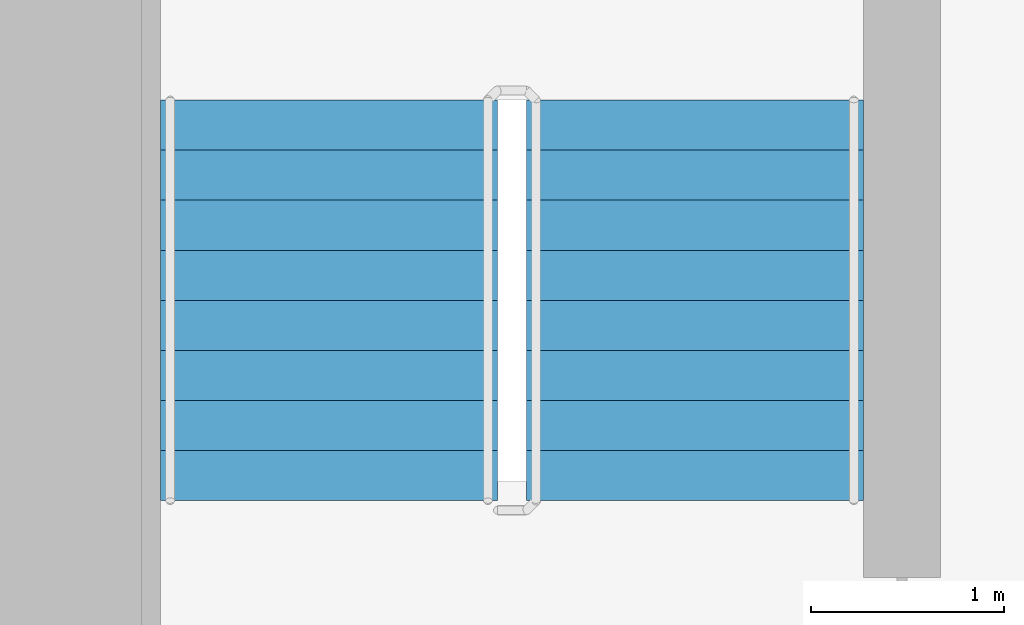
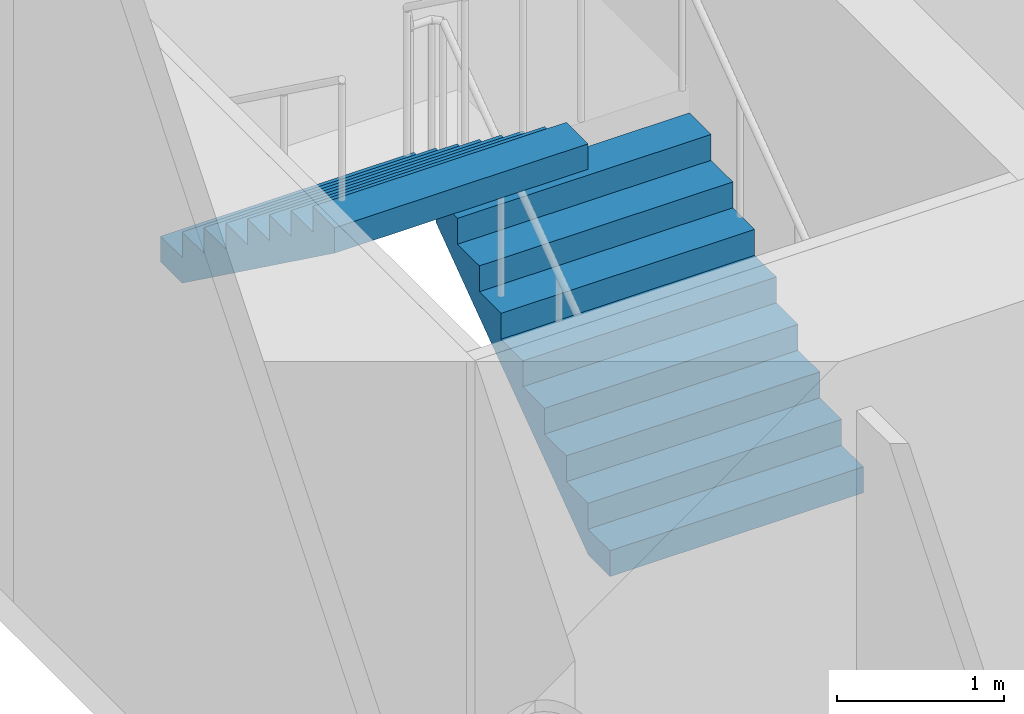
# One storey, part 20 of 23: 2 stair flights, 1 element without a shape of its own.
"""IFC4 building model written with IfcOpenShell, lengths in metres."""

from ifc_helpers import new_model, si_unit, direction, frame, origin, place, context, subcontext, project, spatial, faceted_brep, material, type_object, element, aggregate, save


model = new_model("IFC4")

# Units and contexts
model_context = context("Model", 3, precision=1e-05, world=origin(), true_north=direction((0.0, 1.0)))
body_context = subcontext(model_context, "Body", "Model", "MODEL_VIEW")
ifc_project = project(units=[si_unit("LENGTHUNIT", "METRE"), si_unit("AREAUNIT", "SQUARE_METRE"), si_unit("VOLUMEUNIT", "CUBIC_METRE"), si_unit("PLANEANGLEUNIT", "RADIAN"), si_unit("MASSUNIT", "GRAM", prefix="KILO")], contexts=[model_context])

# Site, building, storey
site_placement = place(None, origin())
site = spatial("IfcSite", under=ifc_project, at=site_placement, CompositionType="ELEMENT")
building_placement = place(site_placement, origin())
building = spatial("IfcBuilding", under=site, at=building_placement, Name="Ipe Terrace Towers", CompositionType="ELEMENT")
storey_placement = place(building_placement, frame((0.0, 0.0, 51.699951171875)))
storey = spatial("IfcBuildingStorey", under=building, at=storey_placement, Name="L13", CompositionType="ELEMENT", Elevation=51.699951171875)

# Stair, stair flights
ifc_material_1 = material(Name="Concrete C30/37", Category="concrete")
stair_type = type_object("IfcStairType", Name="Protected exit stair", PredefinedType="HALF_TURN_STAIR", material=ifc_material_1)
stair_placement = place(storey_placement, origin())
stair = element("IfcStair", 1, at=stair_placement, inside=storey, type_object=stair_type, Name="L13 Exit stair T2-C1", PredefinedType="HALF_TURN_STAIR")
ifc_material_2 = material(Name="Concrete C30/37", Category="concrete")
stair_flight_type = type_object("IfcStairFlightType", Name="Exit stair flight 1750", PredefinedType="STRAIGHT", material=ifc_material_2)
stair_flight_1_placement = place(storey_placement, frame((33.22509765625, 9.699951171875, 0.0), z_axis=(0.0, 0.0, 1.0), x_axis=(0.0, 1.0, 0.0)))
stair_flight_1 = element("IfcStairFlight", 2, at=stair_flight_1_placement, type_object=stair_flight_type, Name="T2-ST1 flight 1", NumberOfRisers=9, NumberOfTreads=8, PredefinedType="STRAIGHT", RiserHeight=0.188888889, TreadLength=0.26, context=body_context, shape_type="Brep", body=[
    faceted_brep([(0.255126953125, -0.875, 0.0), (2.080078125, -0.875, 1.325927734375), (2.080078125, -0.875, 1.51123046875), (1.820068359375, -0.875, 1.51123046875), (1.820068359375, -0.875, 1.322265625), (1.56005859375, -0.875, 1.322265625), (1.56005859375, -0.875, 1.13330078125), (1.300048828125, -0.875, 1.13330078125), (1.300048828125, -0.875, 0.9443359375), (1.0400390625, -0.875, 0.9443359375), (1.0400390625, -0.875, 0.755615234375), (0.780029296875, -0.875, 0.755615234375), (0.780029296875, -0.875, 0.566650390625), (0.52001953125, -0.875, 0.566650390625), (0.52001953125, -0.875, 0.377685546875), (0.260009765625, -0.875, 0.377685546875), (0.260009765625, -0.875, 0.18896484375), (0.0, -0.875, 0.18896484375), (0.0, -0.875, 0.0), (0.0, 0.875, 0.0), (0.0, 0.875, 0.18896484375), (0.260009765625, 0.875, 0.18896484375), (0.260009765625, 0.875, 0.377685546875), (0.52001953125, 0.875, 0.377685546875), (0.52001953125, 0.875, 0.566650390625), (0.780029296875, 0.875, 0.566650390625), (0.780029296875, 0.875, 0.755615234375), (1.0400390625, 0.875, 0.755615234375), (1.0400390625, 0.875, 0.9443359375), (1.300048828125, 0.875, 0.9443359375), (1.300048828125, 0.875, 1.13330078125), (1.56005859375, 0.875, 1.13330078125), (1.56005859375, 0.875, 1.322265625), (1.820068359375, 0.875, 1.322265625), (1.820068359375, 0.875, 1.51123046875), (2.080078125, 0.875, 1.51123046875), (2.080078125, 0.875, 1.325927734375), (0.255126953125, 0.875, 0.0), (0.0, -0.300048828125, 0.18896484375), (0.0, -0.1201171875, 0.18896484375), (0.0, -0.06005859375, 0.18896484375), (0.0, -0.030029296875, 0.18896484375), (0.0, -0.010009765625, 0.18896484375), (0.0, 0.0, 0.18896484375), (0.0, 0.010009765625, 0.18896484375), (0.0, 0.030029296875, 0.18896484375), (0.0, 0.06005859375, 0.18896484375), (0.0, 0.1201171875, 0.18896484375), (0.0, 0.300048828125, 0.18896484375), (0.0, 0.300048828125, 0.0), (0.0, 0.1201171875, 0.0), (0.0, 0.06005859375, 0.0), (0.0, 0.030029296875, 0.0), (0.0, 0.010009765625, 0.0), (0.0, 0.0, 0.0), (0.0, -0.010009765625, 0.0), (0.0, -0.030029296875, 0.0), (0.0, -0.06005859375, 0.0), (0.0, -0.1201171875, 0.0), (0.0, -0.300048828125, 0.0), (0.260009765625, -0.300048828125, 0.18896484375), (0.260009765625, -0.1201171875, 0.18896484375), (0.260009765625, -0.06005859375, 0.18896484375), (0.260009765625, -0.030029296875, 0.18896484375), (0.260009765625, -0.010009765625, 0.18896484375), (0.260009765625, 0.0, 0.18896484375), (0.260009765625, 0.010009765625, 0.18896484375), (0.260009765625, 0.030029296875, 0.18896484375), (0.260009765625, 0.06005859375, 0.18896484375), (0.260009765625, 0.1201171875, 0.18896484375), (0.260009765625, 0.300048828125, 0.18896484375), (0.260009765625, -0.300048828125, 0.377685546875), (0.260009765625, -0.1201171875, 0.377685546875), (0.260009765625, -0.06005859375, 0.377685546875), (0.260009765625, -0.030029296875, 0.377685546875), (0.260009765625, -0.010009765625, 0.377685546875), (0.260009765625, 0.0, 0.377685546875), (0.260009765625, 0.010009765625, 0.377685546875), (0.260009765625, 0.030029296875, 0.377685546875), (0.260009765625, 0.06005859375, 0.377685546875), (0.260009765625, 0.1201171875, 0.377685546875), (0.260009765625, 0.300048828125, 0.377685546875), (0.52001953125, -0.300048828125, 0.377685546875), (0.52001953125, -0.1201171875, 0.377685546875), (0.52001953125, -0.06005859375, 0.377685546875), (0.52001953125, -0.030029296875, 0.377685546875), (0.52001953125, -0.010009765625, 0.377685546875), (0.52001953125, 0.0, 0.377685546875), (0.52001953125, 0.010009765625, 0.377685546875), (0.52001953125, 0.030029296875, 0.377685546875), (0.52001953125, 0.06005859375, 0.377685546875), (0.52001953125, 0.1201171875, 0.377685546875), (0.52001953125, 0.300048828125, 0.377685546875), (0.52001953125, -0.300048828125, 0.566650390625), (0.52001953125, -0.1201171875, 0.566650390625), (0.52001953125, -0.06005859375, 0.566650390625), (0.52001953125, -0.030029296875, 0.566650390625), (0.52001953125, -0.010009765625, 0.566650390625), (0.52001953125, 0.0, 0.566650390625), (0.52001953125, 0.010009765625, 0.566650390625), (0.52001953125, 0.030029296875, 0.566650390625), (0.52001953125, 0.06005859375, 0.566650390625), (0.52001953125, 0.1201171875, 0.566650390625), (0.52001953125, 0.300048828125, 0.566650390625), (0.780029296875, -0.300048828125, 0.566650390625), (0.780029296875, -0.1201171875, 0.566650390625), (0.780029296875, -0.06005859375, 0.566650390625), (0.780029296875, -0.030029296875, 0.566650390625), (0.780029296875, -0.010009765625, 0.566650390625), (0.780029296875, 0.0, 0.566650390625), (0.780029296875, 0.010009765625, 0.566650390625), (0.780029296875, 0.030029296875, 0.566650390625), (0.780029296875, 0.06005859375, 0.566650390625), (0.780029296875, 0.1201171875, 0.566650390625), (0.780029296875, 0.300048828125, 0.566650390625), (0.780029296875, -0.300048828125, 0.755615234375), (0.780029296875, -0.1201171875, 0.755615234375), (0.780029296875, -0.06005859375, 0.755615234375), (0.780029296875, -0.030029296875, 0.755615234375), (0.780029296875, -0.010009765625, 0.755615234375), (0.780029296875, 0.0, 0.755615234375), (0.780029296875, 0.010009765625, 0.755615234375), (0.780029296875, 0.030029296875, 0.755615234375), (0.780029296875, 0.06005859375, 0.755615234375), (0.780029296875, 0.1201171875, 0.755615234375), (0.780029296875, 0.300048828125, 0.755615234375), (1.0400390625, -0.300048828125, 0.755615234375), (1.0400390625, -0.1201171875, 0.755615234375), (1.0400390625, -0.06005859375, 0.755615234375), (1.0400390625, -0.030029296875, 0.755615234375), (1.0400390625, -0.010009765625, 0.755615234375), (1.0400390625, 0.0, 0.755615234375), (1.0400390625, 0.010009765625, 0.755615234375), (1.0400390625, 0.030029296875, 0.755615234375), (1.0400390625, 0.06005859375, 0.755615234375), (1.0400390625, 0.1201171875, 0.755615234375), (1.0400390625, 0.300048828125, 0.755615234375), (1.0400390625, -0.300048828125, 0.9443359375), (1.0400390625, -0.1201171875, 0.9443359375), (1.0400390625, -0.06005859375, 0.9443359375), (1.0400390625, -0.030029296875, 0.9443359375), (1.0400390625, -0.010009765625, 0.9443359375), (1.0400390625, 0.0, 0.9443359375), (1.0400390625, 0.010009765625, 0.9443359375), (1.0400390625, 0.030029296875, 0.9443359375), (1.0400390625, 0.06005859375, 0.9443359375), (1.0400390625, 0.1201171875, 0.9443359375), (1.0400390625, 0.300048828125, 0.9443359375), (1.300048828125, -0.300048828125, 0.9443359375), (1.300048828125, -0.1201171875, 0.9443359375), (1.300048828125, -0.06005859375, 0.9443359375), (1.300048828125, -0.030029296875, 0.9443359375), (1.300048828125, -0.010009765625, 0.9443359375), (1.300048828125, 0.0, 0.9443359375), (1.300048828125, 0.010009765625, 0.9443359375), (1.300048828125, 0.030029296875, 0.9443359375), (1.300048828125, 0.06005859375, 0.9443359375), (1.300048828125, 0.1201171875, 0.9443359375), (1.300048828125, 0.300048828125, 0.9443359375), (1.300048828125, -0.300048828125, 1.13330078125), (1.300048828125, -0.1201171875, 1.13330078125), (1.300048828125, -0.06005859375, 1.13330078125), (1.300048828125, -0.030029296875, 1.13330078125), (1.300048828125, -0.010009765625, 1.13330078125), (1.300048828125, 0.0, 1.13330078125), (1.300048828125, 0.010009765625, 1.13330078125), (1.300048828125, 0.030029296875, 1.13330078125), (1.300048828125, 0.06005859375, 1.13330078125), (1.300048828125, 0.1201171875, 1.13330078125), (1.300048828125, 0.300048828125, 1.13330078125), (1.56005859375, -0.300048828125, 1.13330078125), (1.56005859375, -0.1201171875, 1.13330078125), (1.56005859375, -0.06005859375, 1.13330078125), (1.56005859375, -0.030029296875, 1.13330078125), (1.56005859375, -0.010009765625, 1.13330078125), (1.56005859375, 0.0, 1.13330078125), (1.56005859375, 0.010009765625, 1.13330078125), (1.56005859375, 0.030029296875, 1.13330078125), (1.56005859375, 0.06005859375, 1.13330078125), (1.56005859375, 0.1201171875, 1.13330078125), (1.56005859375, 0.300048828125, 1.13330078125), (1.56005859375, -0.300048828125, 1.322265625), (1.56005859375, -0.1201171875, 1.322265625), (1.56005859375, -0.06005859375, 1.322265625), (1.56005859375, -0.030029296875, 1.322265625), (1.56005859375, -0.010009765625, 1.322265625), (1.56005859375, 0.0, 1.322265625), (1.56005859375, 0.010009765625, 1.322265625), (1.56005859375, 0.030029296875, 1.322265625), (1.56005859375, 0.06005859375, 1.322265625), (1.56005859375, 0.1201171875, 1.322265625), (1.56005859375, 0.300048828125, 1.322265625), (1.820068359375, -0.300048828125, 1.322265625), (1.820068359375, -0.1201171875, 1.322265625), (1.820068359375, -0.06005859375, 1.322265625), (1.820068359375, -0.030029296875, 1.322265625), (1.820068359375, -0.010009765625, 1.322265625), (1.820068359375, 0.0, 1.322265625), (1.820068359375, 0.010009765625, 1.322265625), (1.820068359375, 0.030029296875, 1.322265625), (1.820068359375, 0.06005859375, 1.322265625), (1.820068359375, 0.1201171875, 1.322265625), (1.820068359375, 0.300048828125, 1.322265625), (1.820068359375, -0.300048828125, 1.51123046875), (1.820068359375, -0.1201171875, 1.51123046875), (1.820068359375, -0.06005859375, 1.51123046875), (1.820068359375, -0.030029296875, 1.51123046875), (1.820068359375, -0.010009765625, 1.51123046875), (1.820068359375, 0.0, 1.51123046875), (1.820068359375, 0.010009765625, 1.51123046875), (1.820068359375, 0.030029296875, 1.51123046875), (1.820068359375, 0.06005859375, 1.51123046875), (1.820068359375, 0.1201171875, 1.51123046875), (1.820068359375, 0.300048828125, 1.51123046875), (2.080078125, -0.300048828125, 1.51123046875), (2.080078125, -0.1201171875, 1.51123046875), (2.080078125, -0.06005859375, 1.51123046875), (2.080078125, -0.030029296875, 1.51123046875), (2.080078125, -0.010009765625, 1.51123046875), (2.080078125, 0.0, 1.51123046875), (2.080078125, 0.010009765625, 1.51123046875), (2.080078125, 0.030029296875, 1.51123046875), (2.080078125, 0.06005859375, 1.51123046875), (2.080078125, 0.1201171875, 1.51123046875), (2.080078125, 0.300048828125, 1.51123046875), (2.080078125, -0.300048828125, 1.325927734375), (2.080078125, -0.1201171875, 1.325927734375), (2.080078125, -0.06005859375, 1.325927734375), (2.080078125, -0.030029296875, 1.325927734375), (2.080078125, -0.010009765625, 1.325927734375), (2.080078125, 0.0, 1.325927734375), (2.080078125, 0.010009765625, 1.325927734375), (2.080078125, 0.030029296875, 1.325927734375), (2.080078125, 0.06005859375, 1.325927734375), (2.080078125, 0.1201171875, 1.325927734375), (2.080078125, 0.300048828125, 1.325927734375), (0.255126953125, -0.300048828125, 0.0), (0.255126953125, -0.1201171875, 0.0), (0.255126953125, -0.06005859375, 0.0), (0.255126953125, -0.030029296875, 0.0), (0.255126953125, -0.010009765625, 0.0), (0.255126953125, 0.0, 0.0), (0.255126953125, 0.010009765625, 0.0), (0.255126953125, 0.030029296875, 0.0), (0.255126953125, 0.06005859375, 0.0), (0.255126953125, 0.1201171875, 0.0), (0.255126953125, 0.300048828125, 0.0)], [[[0, 1, 2, 3, 4, 5, 6, 7, 8, 9, 10, 11, 12, 13, 14, 15, 16, 17, 18]], [[19, 20, 21, 22, 23, 24, 25, 26, 27, 28, 29, 30, 31, 32, 33, 34, 35, 36, 37]], [[17, 38, 39, 40, 41, 42, 43, 44, 45, 46, 47, 48, 20, 19, 49, 50, 51, 52, 53, 54, 55, 56, 57, 58, 59, 18]], [[16, 60, 61, 62, 63, 64, 65, 66, 67, 68, 69, 70, 21, 20, 48, 47, 46, 45, 44, 43, 42, 41, 40, 39, 38, 17]], [[15, 71, 72, 73, 74, 75, 76, 77, 78, 79, 80, 81, 22, 21, 70, 69, 68, 67, 66, 65, 64, 63, 62, 61, 60, 16]], [[14, 82, 83, 84, 85, 86, 87, 88, 89, 90, 91, 92, 23, 22, 81, 80, 79, 78, 77, 76, 75, 74, 73, 72, 71, 15]], [[13, 93, 94, 95, 96, 97, 98, 99, 100, 101, 102, 103, 24, 23, 92, 91, 90, 89, 88, 87, 86, 85, 84, 83, 82, 14]], [[12, 104, 105, 106, 107, 108, 109, 110, 111, 112, 113, 114, 25, 24, 103, 102, 101, 100, 99, 98, 97, 96, 95, 94, 93, 13]], [[11, 115, 116, 117, 118, 119, 120, 121, 122, 123, 124, 125, 26, 25, 114, 113, 112, 111, 110, 109, 108, 107, 106, 105, 104, 12]], [[10, 126, 127, 128, 129, 130, 131, 132, 133, 134, 135, 136, 27, 26, 125, 124, 123, 122, 121, 120, 119, 118, 117, 116, 115, 11]], [[9, 137, 138, 139, 140, 141, 142, 143, 144, 145, 146, 147, 28, 27, 136, 135, 134, 133, 132, 131, 130, 129, 128, 127, 126, 10]], [[8, 148, 149, 150, 151, 152, 153, 154, 155, 156, 157, 158, 29, 28, 147, 146, 145, 144, 143, 142, 141, 140, 139, 138, 137, 9]], [[7, 159, 160, 161, 162, 163, 164, 165, 166, 167, 168, 169, 30, 29, 158, 157, 156, 155, 154, 153, 152, 151, 150, 149, 148, 8]], [[6, 170, 171, 172, 173, 174, 175, 176, 177, 178, 179, 180, 31, 30, 169, 168, 167, 166, 165, 164, 163, 162, 161, 160, 159, 7]], [[5, 181, 182, 183, 184, 185, 186, 187, 188, 189, 190, 191, 32, 31, 180, 179, 178, 177, 176, 175, 174, 173, 172, 171, 170, 6]], [[4, 192, 193, 194, 195, 196, 197, 198, 199, 200, 201, 202, 33, 32, 191, 190, 189, 188, 187, 186, 185, 184, 183, 182, 181, 5]], [[3, 203, 204, 205, 206, 207, 208, 209, 210, 211, 212, 213, 34, 33, 202, 201, 200, 199, 198, 197, 196, 195, 194, 193, 192, 4]], [[2, 214, 215, 216, 217, 218, 219, 220, 221, 222, 223, 224, 35, 34, 213, 212, 211, 210, 209, 208, 207, 206, 205, 204, 203, 3]], [[1, 225, 226, 227, 228, 229, 230, 231, 232, 233, 234, 235, 36, 35, 224, 223, 222, 221, 220, 219, 218, 217, 216, 215, 214, 2]], [[0, 236, 237, 238, 239, 240, 241, 242, 243, 244, 245, 246, 37, 36, 235, 234, 233, 232, 231, 230, 229, 228, 227, 226, 225, 1]], [[18, 59, 58, 57, 56, 55, 54, 53, 52, 51, 50, 49, 19, 37, 246, 245, 244, 243, 242, 241, 240, 239, 238, 237, 236, 0]]]),
])
stair_flight_2_placement = place(storey_placement, frame((31.324951171875, 11.780029296875, 1.699951171875), z_axis=(0.0, 0.0, 1.0), x_axis=(0.0, -1.0, 0.0)))
stair_flight_2 = element("IfcStairFlight", 3, at=stair_flight_2_placement, type_object=stair_flight_type, Name="T2-ST1 flight 2", NumberOfRisers=9, NumberOfTreads=8, PredefinedType="STRAIGHT", RiserHeight=0.188888889, TreadLength=0.26, context=body_context, shape_type="Brep", body=[
    faceted_brep([(0.255126953125, -0.875, 0.0), (2.080078125, -0.875, 1.325927734375), (2.080078125, -0.875, 1.51123046875), (1.820068359375, -0.875, 1.51123046875), (1.820068359375, -0.875, 1.322265625), (1.56005859375, -0.875, 1.322265625), (1.56005859375, -0.875, 1.13330078125), (1.300048828125, -0.875, 1.13330078125), (1.300048828125, -0.875, 0.9443359375), (1.0400390625, -0.875, 0.9443359375), (1.0400390625, -0.875, 0.755615234375), (0.780029296875, -0.875, 0.755615234375), (0.780029296875, -0.875, 0.566650390625), (0.52001953125, -0.875, 0.566650390625), (0.52001953125, -0.875, 0.377685546875), (0.260009765625, -0.875, 0.377685546875), (0.260009765625, -0.875, 0.18896484375), (0.0, -0.875, 0.18896484375), (0.0, -0.875, 0.0), (0.0, 0.875, 0.0), (0.0, 0.875, 0.18896484375), (0.260009765625, 0.875, 0.18896484375), (0.260009765625, 0.875, 0.377685546875), (0.52001953125, 0.875, 0.377685546875), (0.52001953125, 0.875, 0.566650390625), (0.780029296875, 0.875, 0.566650390625), (0.780029296875, 0.875, 0.755615234375), (1.0400390625, 0.875, 0.755615234375), (1.0400390625, 0.875, 0.9443359375), (1.300048828125, 0.875, 0.9443359375), (1.300048828125, 0.875, 1.13330078125), (1.56005859375, 0.875, 1.13330078125), (1.56005859375, 0.875, 1.322265625), (1.820068359375, 0.875, 1.322265625), (1.820068359375, 0.875, 1.51123046875), (2.080078125, 0.875, 1.51123046875), (2.080078125, 0.875, 1.325927734375), (0.255126953125, 0.875, 0.0), (0.0, -0.300048828125, 0.18896484375), (0.0, -0.1201171875, 0.18896484375), (0.0, -0.06005859375, 0.18896484375), (0.0, -0.030029296875, 0.18896484375), (0.0, -0.010009765625, 0.18896484375), (0.0, 0.0, 0.18896484375), (0.0, 0.010009765625, 0.18896484375), (0.0, 0.030029296875, 0.18896484375), (0.0, 0.06005859375, 0.18896484375), (0.0, 0.1201171875, 0.18896484375), (0.0, 0.300048828125, 0.18896484375), (0.0, 0.300048828125, 0.0), (0.0, 0.1201171875, 0.0), (0.0, 0.06005859375, 0.0), (0.0, 0.030029296875, 0.0), (0.0, 0.010009765625, 0.0), (0.0, 0.0, 0.0), (0.0, -0.010009765625, 0.0), (0.0, -0.030029296875, 0.0), (0.0, -0.06005859375, 0.0), (0.0, -0.1201171875, 0.0), (0.0, -0.300048828125, 0.0), (0.260009765625, -0.300048828125, 0.18896484375), (0.260009765625, -0.1201171875, 0.18896484375), (0.260009765625, -0.06005859375, 0.18896484375), (0.260009765625, -0.030029296875, 0.18896484375), (0.260009765625, -0.010009765625, 0.18896484375), (0.260009765625, 0.0, 0.18896484375), (0.260009765625, 0.010009765625, 0.18896484375), (0.260009765625, 0.030029296875, 0.18896484375), (0.260009765625, 0.06005859375, 0.18896484375), (0.260009765625, 0.1201171875, 0.18896484375), (0.260009765625, 0.300048828125, 0.18896484375), (0.260009765625, -0.300048828125, 0.377685546875), (0.260009765625, -0.1201171875, 0.377685546875), (0.260009765625, -0.06005859375, 0.377685546875), (0.260009765625, -0.030029296875, 0.377685546875), (0.260009765625, -0.010009765625, 0.377685546875), (0.260009765625, 0.0, 0.377685546875), (0.260009765625, 0.010009765625, 0.377685546875), (0.260009765625, 0.030029296875, 0.377685546875), (0.260009765625, 0.06005859375, 0.377685546875), (0.260009765625, 0.1201171875, 0.377685546875), (0.260009765625, 0.300048828125, 0.377685546875), (0.52001953125, -0.300048828125, 0.377685546875), (0.52001953125, -0.1201171875, 0.377685546875), (0.52001953125, -0.06005859375, 0.377685546875), (0.52001953125, -0.030029296875, 0.377685546875), (0.52001953125, -0.010009765625, 0.377685546875), (0.52001953125, 0.0, 0.377685546875), (0.52001953125, 0.010009765625, 0.377685546875), (0.52001953125, 0.030029296875, 0.377685546875), (0.52001953125, 0.06005859375, 0.377685546875), (0.52001953125, 0.1201171875, 0.377685546875), (0.52001953125, 0.300048828125, 0.377685546875), (0.52001953125, -0.300048828125, 0.566650390625), (0.52001953125, -0.1201171875, 0.566650390625), (0.52001953125, -0.06005859375, 0.566650390625), (0.52001953125, -0.030029296875, 0.566650390625), (0.52001953125, -0.010009765625, 0.566650390625), (0.52001953125, 0.0, 0.566650390625), (0.52001953125, 0.010009765625, 0.566650390625), (0.52001953125, 0.030029296875, 0.566650390625), (0.52001953125, 0.06005859375, 0.566650390625), (0.52001953125, 0.1201171875, 0.566650390625), (0.52001953125, 0.300048828125, 0.566650390625), (0.780029296875, -0.300048828125, 0.566650390625), (0.780029296875, -0.1201171875, 0.566650390625), (0.780029296875, -0.06005859375, 0.566650390625), (0.780029296875, -0.030029296875, 0.566650390625), (0.780029296875, -0.010009765625, 0.566650390625), (0.780029296875, 0.0, 0.566650390625), (0.780029296875, 0.010009765625, 0.566650390625), (0.780029296875, 0.030029296875, 0.566650390625), (0.780029296875, 0.06005859375, 0.566650390625), (0.780029296875, 0.1201171875, 0.566650390625), (0.780029296875, 0.300048828125, 0.566650390625), (0.780029296875, -0.300048828125, 0.755615234375), (0.780029296875, -0.1201171875, 0.755615234375), (0.780029296875, -0.06005859375, 0.755615234375), (0.780029296875, -0.030029296875, 0.755615234375), (0.780029296875, -0.010009765625, 0.755615234375), (0.780029296875, 0.0, 0.755615234375), (0.780029296875, 0.010009765625, 0.755615234375), (0.780029296875, 0.030029296875, 0.755615234375), (0.780029296875, 0.06005859375, 0.755615234375), (0.780029296875, 0.1201171875, 0.755615234375), (0.780029296875, 0.300048828125, 0.755615234375), (1.0400390625, -0.300048828125, 0.755615234375), (1.0400390625, -0.1201171875, 0.755615234375), (1.0400390625, -0.06005859375, 0.755615234375), (1.0400390625, -0.030029296875, 0.755615234375), (1.0400390625, -0.010009765625, 0.755615234375), (1.0400390625, 0.0, 0.755615234375), (1.0400390625, 0.010009765625, 0.755615234375), (1.0400390625, 0.030029296875, 0.755615234375), (1.0400390625, 0.06005859375, 0.755615234375), (1.0400390625, 0.1201171875, 0.755615234375), (1.0400390625, 0.300048828125, 0.755615234375), (1.0400390625, -0.300048828125, 0.9443359375), (1.0400390625, -0.1201171875, 0.9443359375), (1.0400390625, -0.06005859375, 0.9443359375), (1.0400390625, -0.030029296875, 0.9443359375), (1.0400390625, -0.010009765625, 0.9443359375), (1.0400390625, 0.0, 0.9443359375), (1.0400390625, 0.010009765625, 0.9443359375), (1.0400390625, 0.030029296875, 0.9443359375), (1.0400390625, 0.06005859375, 0.9443359375), (1.0400390625, 0.1201171875, 0.9443359375), (1.0400390625, 0.300048828125, 0.9443359375), (1.300048828125, -0.300048828125, 0.9443359375), (1.300048828125, -0.1201171875, 0.9443359375), (1.300048828125, -0.06005859375, 0.9443359375), (1.300048828125, -0.030029296875, 0.9443359375), (1.300048828125, -0.010009765625, 0.9443359375), (1.300048828125, 0.0, 0.9443359375), (1.300048828125, 0.010009765625, 0.9443359375), (1.300048828125, 0.030029296875, 0.9443359375), (1.300048828125, 0.06005859375, 0.9443359375), (1.300048828125, 0.1201171875, 0.9443359375), (1.300048828125, 0.300048828125, 0.9443359375), (1.300048828125, -0.300048828125, 1.13330078125), (1.300048828125, -0.1201171875, 1.13330078125), (1.300048828125, -0.06005859375, 1.13330078125), (1.300048828125, -0.030029296875, 1.13330078125), (1.300048828125, -0.010009765625, 1.13330078125), (1.300048828125, 0.0, 1.13330078125), (1.300048828125, 0.010009765625, 1.13330078125), (1.300048828125, 0.030029296875, 1.13330078125), (1.300048828125, 0.06005859375, 1.13330078125), (1.300048828125, 0.1201171875, 1.13330078125), (1.300048828125, 0.300048828125, 1.13330078125), (1.56005859375, -0.300048828125, 1.13330078125), (1.56005859375, -0.1201171875, 1.13330078125), (1.56005859375, -0.06005859375, 1.13330078125), (1.56005859375, -0.030029296875, 1.13330078125), (1.56005859375, -0.010009765625, 1.13330078125), (1.56005859375, 0.0, 1.13330078125), (1.56005859375, 0.010009765625, 1.13330078125), (1.56005859375, 0.030029296875, 1.13330078125), (1.56005859375, 0.06005859375, 1.13330078125), (1.56005859375, 0.1201171875, 1.13330078125), (1.56005859375, 0.300048828125, 1.13330078125), (1.56005859375, -0.300048828125, 1.322265625), (1.56005859375, -0.1201171875, 1.322265625), (1.56005859375, -0.06005859375, 1.322265625), (1.56005859375, -0.030029296875, 1.322265625), (1.56005859375, -0.010009765625, 1.322265625), (1.56005859375, 0.0, 1.322265625), (1.56005859375, 0.010009765625, 1.322265625), (1.56005859375, 0.030029296875, 1.322265625), (1.56005859375, 0.06005859375, 1.322265625), (1.56005859375, 0.1201171875, 1.322265625), (1.56005859375, 0.300048828125, 1.322265625), (1.820068359375, -0.300048828125, 1.322265625), (1.820068359375, -0.1201171875, 1.322265625), (1.820068359375, -0.06005859375, 1.322265625), (1.820068359375, -0.030029296875, 1.322265625), (1.820068359375, -0.010009765625, 1.322265625), (1.820068359375, 0.0, 1.322265625), (1.820068359375, 0.010009765625, 1.322265625), (1.820068359375, 0.030029296875, 1.322265625), (1.820068359375, 0.06005859375, 1.322265625), (1.820068359375, 0.1201171875, 1.322265625), (1.820068359375, 0.300048828125, 1.322265625), (1.820068359375, -0.300048828125, 1.51123046875), (1.820068359375, -0.1201171875, 1.51123046875), (1.820068359375, -0.06005859375, 1.51123046875), (1.820068359375, -0.030029296875, 1.51123046875), (1.820068359375, -0.010009765625, 1.51123046875), (1.820068359375, 0.0, 1.51123046875), (1.820068359375, 0.010009765625, 1.51123046875), (1.820068359375, 0.030029296875, 1.51123046875), (1.820068359375, 0.06005859375, 1.51123046875), (1.820068359375, 0.1201171875, 1.51123046875), (1.820068359375, 0.300048828125, 1.51123046875), (2.080078125, -0.300048828125, 1.51123046875), (2.080078125, -0.1201171875, 1.51123046875), (2.080078125, -0.06005859375, 1.51123046875), (2.080078125, -0.030029296875, 1.51123046875), (2.080078125, -0.010009765625, 1.51123046875), (2.080078125, 0.0, 1.51123046875), (2.080078125, 0.010009765625, 1.51123046875), (2.080078125, 0.030029296875, 1.51123046875), (2.080078125, 0.06005859375, 1.51123046875), (2.080078125, 0.1201171875, 1.51123046875), (2.080078125, 0.300048828125, 1.51123046875), (2.080078125, -0.300048828125, 1.325927734375), (2.080078125, -0.1201171875, 1.325927734375), (2.080078125, -0.06005859375, 1.325927734375), (2.080078125, -0.030029296875, 1.325927734375), (2.080078125, -0.010009765625, 1.325927734375), (2.080078125, 0.0, 1.325927734375), (2.080078125, 0.010009765625, 1.325927734375), (2.080078125, 0.030029296875, 1.325927734375), (2.080078125, 0.06005859375, 1.325927734375), (2.080078125, 0.1201171875, 1.325927734375), (2.080078125, 0.300048828125, 1.325927734375), (0.255126953125, -0.300048828125, 0.0), (0.255126953125, -0.1201171875, 0.0), (0.255126953125, -0.06005859375, 0.0), (0.255126953125, -0.030029296875, 0.0), (0.255126953125, -0.010009765625, 0.0), (0.255126953125, 0.0, 0.0), (0.255126953125, 0.010009765625, 0.0), (0.255126953125, 0.030029296875, 0.0), (0.255126953125, 0.06005859375, 0.0), (0.255126953125, 0.1201171875, 0.0), (0.255126953125, 0.300048828125, 0.0)], [[[0, 1, 2, 3, 4, 5, 6, 7, 8, 9, 10, 11, 12, 13, 14, 15, 16, 17, 18]], [[19, 20, 21, 22, 23, 24, 25, 26, 27, 28, 29, 30, 31, 32, 33, 34, 35, 36, 37]], [[17, 38, 39, 40, 41, 42, 43, 44, 45, 46, 47, 48, 20, 19, 49, 50, 51, 52, 53, 54, 55, 56, 57, 58, 59, 18]], [[16, 60, 61, 62, 63, 64, 65, 66, 67, 68, 69, 70, 21, 20, 48, 47, 46, 45, 44, 43, 42, 41, 40, 39, 38, 17]], [[15, 71, 72, 73, 74, 75, 76, 77, 78, 79, 80, 81, 22, 21, 70, 69, 68, 67, 66, 65, 64, 63, 62, 61, 60, 16]], [[14, 82, 83, 84, 85, 86, 87, 88, 89, 90, 91, 92, 23, 22, 81, 80, 79, 78, 77, 76, 75, 74, 73, 72, 71, 15]], [[13, 93, 94, 95, 96, 97, 98, 99, 100, 101, 102, 103, 24, 23, 92, 91, 90, 89, 88, 87, 86, 85, 84, 83, 82, 14]], [[12, 104, 105, 106, 107, 108, 109, 110, 111, 112, 113, 114, 25, 24, 103, 102, 101, 100, 99, 98, 97, 96, 95, 94, 93, 13]], [[11, 115, 116, 117, 118, 119, 120, 121, 122, 123, 124, 125, 26, 25, 114, 113, 112, 111, 110, 109, 108, 107, 106, 105, 104, 12]], [[10, 126, 127, 128, 129, 130, 131, 132, 133, 134, 135, 136, 27, 26, 125, 124, 123, 122, 121, 120, 119, 118, 117, 116, 115, 11]], [[9, 137, 138, 139, 140, 141, 142, 143, 144, 145, 146, 147, 28, 27, 136, 135, 134, 133, 132, 131, 130, 129, 128, 127, 126, 10]], [[8, 148, 149, 150, 151, 152, 153, 154, 155, 156, 157, 158, 29, 28, 147, 146, 145, 144, 143, 142, 141, 140, 139, 138, 137, 9]], [[7, 159, 160, 161, 162, 163, 164, 165, 166, 167, 168, 169, 30, 29, 158, 157, 156, 155, 154, 153, 152, 151, 150, 149, 148, 8]], [[6, 170, 171, 172, 173, 174, 175, 176, 177, 178, 179, 180, 31, 30, 169, 168, 167, 166, 165, 164, 163, 162, 161, 160, 159, 7]], [[5, 181, 182, 183, 184, 185, 186, 187, 188, 189, 190, 191, 32, 31, 180, 179, 178, 177, 176, 175, 174, 173, 172, 171, 170, 6]], [[4, 192, 193, 194, 195, 196, 197, 198, 199, 200, 201, 202, 33, 32, 191, 190, 189, 188, 187, 186, 185, 184, 183, 182, 181, 5]], [[3, 203, 204, 205, 206, 207, 208, 209, 210, 211, 212, 213, 34, 33, 202, 201, 200, 199, 198, 197, 196, 195, 194, 193, 192, 4]], [[2, 214, 215, 216, 217, 218, 219, 220, 221, 222, 223, 224, 35, 34, 213, 212, 211, 210, 209, 208, 207, 206, 205, 204, 203, 3]], [[1, 225, 226, 227, 228, 229, 230, 231, 232, 233, 234, 235, 36, 35, 224, 223, 222, 221, 220, 219, 218, 217, 216, 215, 214, 2]], [[0, 236, 237, 238, 239, 240, 241, 242, 243, 244, 245, 246, 37, 36, 235, 234, 233, 232, 231, 230, 229, 228, 227, 226, 225, 1]], [[18, 59, 58, 57, 56, 55, 54, 53, 52, 51, 50, 49, 19, 37, 246, 245, 244, 243, 242, 241, 240, 239, 238, 237, 236, 0]]]),
])
aggregate(stair, [stair_flight_1, stair_flight_2])

save(model, "model.ifc")
